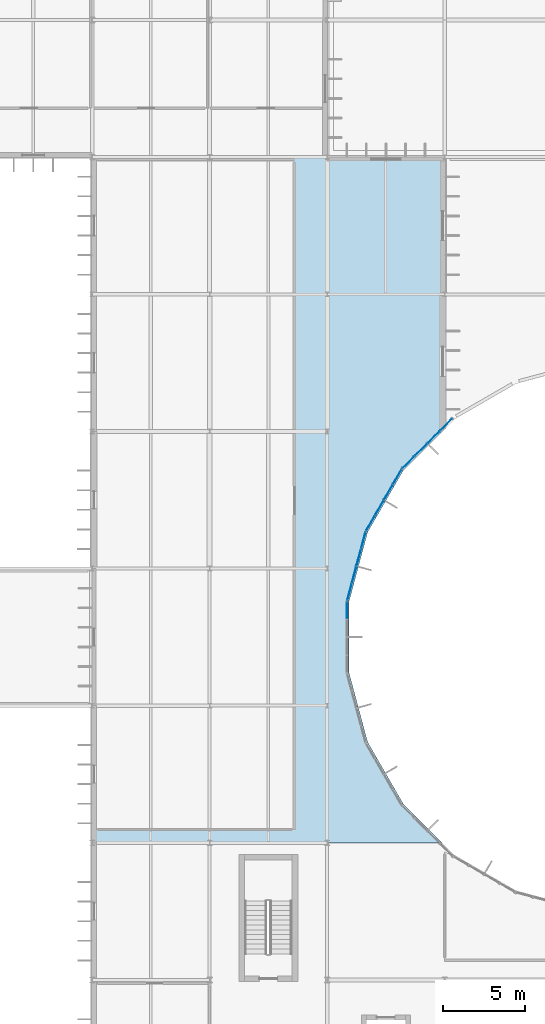
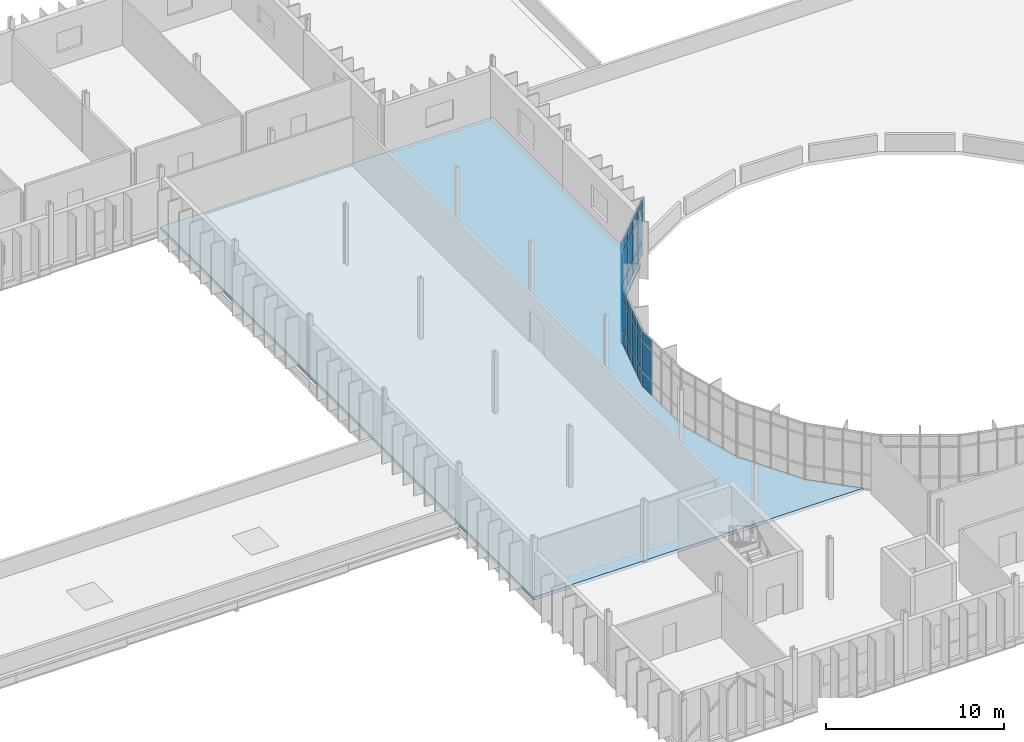
# One storey, part 36 of 61: 39 plates, 1 slab, 4 elements without a shape of their own.
"""IFC4 building model written with IfcOpenShell, lengths in metres."""

import ifcopenshell
import ifcopenshell.guid

model = None  # the IFC model being written
_history = None  # IfcOwnerHistory: only IFC2X3 demands one
_inside = {}  # id of a spatial element -> (the spatial element, [elements in it])
_under = {}  # id of a project, library or spatial element -> (it, [spatial elements below it])
_declared = {}  # id of a project -> (the project, [libraries it declares])
_typed = {}  # id of a type object -> (the type object, [elements of that type])
_made_of = {}  # id of a material, layer set ... -> (it, [elements and type objects made of it])


def new_model(schema):
    """Start an empty IFC model of exactly this schema.

    Asked for "IFC4X3", IfcOpenShell would pick the latest addendum, in which some entities
    have other attributes; the version numbers below select the first issue.
    IFC2X3 requires an IfcOwnerHistory on every rooted entity: one is made here for all.
    """
    global model, _history
    if schema == "IFC4X3":
        model = ifcopenshell.file(schema_version=(4, 3, 0, 0))
    else:
        model = ifcopenshell.file(schema=schema)
    _inside.clear()
    _under.clear()
    _declared.clear()
    _typed.clear()
    _made_of.clear()
    _history = None
    if model.schema == "IFC2X3":
        org = make("IfcOrganization", Name="unknown")
        user = make(
            "IfcPersonAndOrganization",
            ThePerson=make("IfcPerson", FamilyName="unknown"),
            TheOrganization=org,
        )
        app = make(
            "IfcApplication",
            ApplicationDeveloper=org,
            Version="unknown",
            ApplicationFullName="unknown",
            ApplicationIdentifier="unknown",
        )
        _history = make(
            "IfcOwnerHistory",
            OwningUser=user,
            OwningApplication=app,
            ChangeAction="ADDED",
            CreationDate=0,
        )
    return model


def make(cls, **values):
    """One entity of the class cls with the attributes given. An attribute that is None is left unset."""
    return model.create_entity(
        cls, **{name: value for name, value in values.items() if value is not None}
    )


def rooted(cls, **values):
    """An entity with a GlobalId (a new one), such as an element, a storey or a relation."""
    return make(cls, GlobalId=ifcopenshell.guid.new(), OwnerHistory=_history, **values)


def si_unit(unit_type, name, prefix=None):
    """IfcSIUnit, for example si_unit("LENGTHUNIT", "METRE", prefix="MILLI")."""
    return make("IfcSIUnit", UnitType=unit_type, Prefix=prefix, Name=name)


def assignment(units):
    """IfcUnitAssignment: the units of a project."""
    return None if units is None else make("IfcUnitAssignment", Units=units)


def point(xyz):
    """IfcCartesianPoint."""
    return None if xyz is None else make("IfcCartesianPoint", Coordinates=xyz)


def direction(xyz):
    """IfcDirection."""
    return None if xyz is None else make("IfcDirection", DirectionRatios=xyz)


def frame(location, z_axis=None, x_axis=None):
    """IfcAxis2Placement3D, a coordinate frame: its origin and axes. An axis left out is left unset."""
    return make(
        "IfcAxis2Placement3D",
        Location=point(location),
        Axis=direction(z_axis),
        RefDirection=direction(x_axis),
    )


def frame_2d(location, x_axis=None):
    """IfcAxis2Placement2D, a coordinate frame in the plane: its origin and x axis."""
    return make(
        "IfcAxis2Placement2D", Location=point(location), RefDirection=direction(x_axis)
    )


def origin():
    """The frame at (0, 0, 0) with its axes left unset."""
    return frame((0.0, 0.0, 0.0))


def origin_2d():
    """The frame at (0, 0) in the plane with its x axis left unset."""
    return frame_2d((0.0, 0.0))


def place(relative_to, where):
    """IfcLocalPlacement: puts the frame where relative to a parent placement (None: the world)."""
    return make(
        "IfcLocalPlacement", PlacementRelTo=relative_to, RelativePlacement=where
    )


def context(
    kind, dimensions, precision=None, world=None, true_north=None, identifier=None
):
    """IfcGeometricRepresentationContext, for example the 3D "Model" context."""
    return make(
        "IfcGeometricRepresentationContext",
        ContextIdentifier=identifier,
        ContextType=kind,
        CoordinateSpaceDimension=dimensions,
        Precision=precision,
        WorldCoordinateSystem=world,
        TrueNorth=true_north,
    )


def subcontext(parent, identifier, kind, view, scale=None):
    """IfcGeometricRepresentationSubContext, for example "Body" below "Model"."""
    return make(
        "IfcGeometricRepresentationSubContext",
        ContextIdentifier=identifier,
        ContextType=kind,
        ParentContext=parent,
        TargetScale=scale,
        TargetView=view,
    )


def project(units=None, contexts=None):
    """IfcProject with its units and contexts."""
    return rooted(
        "IfcProject",
        Name="project",
        RepresentationContexts=contexts,
        UnitsInContext=assignment(units),
    )


def spatial(cls, under=None, at=None, **own):
    """A site, building, storey or space (cls), placed at a placement, below another one or the project."""
    s = rooted(cls, ObjectPlacement=at, **own)
    if under is not None:
        _under.setdefault(under.id(), (under, []))[1].append(s)
    return s


def polyline(points):
    """IfcPolyline through the points."""
    return make("IfcPolyline", Points=[point(p) for p in points])


def profile(cls, at=None, kind="AREA", **sizes):
    """A parametric profile (cls). Its sizes go by their IFC names, for example OverallWidth=200.0."""
    return make(cls, ProfileType=kind, Position=at, **sizes)


def rectangle(**sizes):
    """IfcRectangleProfileDef."""
    return profile("IfcRectangleProfileDef", **sizes)


def outline(outer, holes=None, kind="AREA"):
    """IfcArbitraryClosedProfileDef: a profile drawn as a closed curve; with holes, ...WithVoids."""
    if holes is None:
        return make("IfcArbitraryClosedProfileDef", ProfileType=kind, OuterCurve=outer)
    return make(
        "IfcArbitraryProfileDefWithVoids",
        ProfileType=kind,
        OuterCurve=outer,
        InnerCurves=holes,
    )


def extrude(swept, where, along, depth):
    """IfcExtrudedAreaSolid: the profile swept, set in the frame where, extruded along a direction by depth."""
    return make(
        "IfcExtrudedAreaSolid",
        SweptArea=swept,
        Position=where,
        ExtrudedDirection=direction(along),
        Depth=depth,
    )


def shape(context_of_items, identifier, shape_type, items):
    """IfcShapeRepresentation: the items that make up one representation, for example the "Body"."""
    return make(
        "IfcShapeRepresentation",
        ContextOfItems=context_of_items,
        RepresentationIdentifier=identifier,
        RepresentationType=shape_type,
        Items=items,
    )


def material(Name=None, Category=None):
    """IfcMaterial."""
    return make("IfcMaterial", Name=Name, Category=Category)


def layer(
    of_material, thickness, ventilated=None, Name=None, Category=None, Priority=None
):
    """IfcMaterialLayer: one layer of a wall or slab, of a material (None: an air gap)."""
    return make(
        "IfcMaterialLayer",
        Material=of_material,
        LayerThickness=thickness,
        IsVentilated=ventilated,
        Name=Name,
        Category=Category,
        Priority=Priority,
    )


def layer_set(layers, Name=None):
    """IfcMaterialLayerSet."""
    return make("IfcMaterialLayerSet", MaterialLayers=layers, LayerSetName=Name)


def made_of(thing, what):
    """Note that an element or type object is made of a material, layer set ...; save() writes the relation."""
    if what is not None:
        _made_of.setdefault(what.id(), (what, []))[1].append(thing)
    return thing


def type_object(cls, material=None, **own):
    """A type object (cls), such as IfcWallType, which elements share."""
    return made_of(rooted(cls, **own), material)


def element(
    cls,
    number,
    at=None,
    inside=None,
    cuts=None,
    type_object=None,
    material=None,
    context=None,
    identifier="Body",
    shape_type=None,
    held_by="IfcProductDefinitionShape",
    body=None,
    shapes=None,
    **own,
):
    """One element of the class cls, such as IfcWall. Its Tag is "e" and its number.

    at: its placement. inside: the storey or other place that contains it. cuts: it is an
    opening in that element (IfcRelVoidsElement). A single representation is given by context,
    identifier, shape_type and body (its items); several are given by shapes. held_by: the class
    of the entity that holds the representations. save() writes the other relations.
    """
    e = rooted(cls, Tag="e%d" % number, ObjectPlacement=at, **own)
    if body is not None:
        shapes = [shape(context, identifier, shape_type, body)]
    if shapes is not None:
        e.Representation = make(held_by, Representations=shapes)
    if inside is not None:
        _inside.setdefault(inside.id(), (inside, []))[1].append(e)
    if cuts is not None:
        rooted(
            "IfcRelVoidsElement", RelatingBuildingElement=cuts, RelatedOpeningElement=e
        )
    if type_object is not None:
        _typed.setdefault(type_object.id(), (type_object, []))[1].append(e)
    return made_of(e, material)


def aggregate(whole, parts):
    """IfcRelAggregates: a whole, such as a stair, and the parts it consists of."""
    return rooted("IfcRelAggregates", RelatingObject=whole, RelatedObjects=parts)


def save(model, path):
    """Write the relations noted so far, then the file.

    IfcRelAggregates (storeys below a building ...), IfcRelContainedInSpatialStructure (elements
    in a storey), IfcRelDefinesByType, IfcRelAssociatesMaterial and IfcRelDeclares: one each for
    every whole, place, type object, material and project.
    """
    for whole, parts in _under.values():
        aggregate(whole, parts)
    for where, things in _inside.values():
        rooted(
            "IfcRelContainedInSpatialStructure",
            RelatedElements=things,
            RelatingStructure=where,
        )
    for kind, things in _typed.values():
        rooted("IfcRelDefinesByType", RelatedObjects=things, RelatingType=kind)
    for what, things in _made_of.values():
        rooted("IfcRelAssociatesMaterial", RelatedObjects=things, RelatingMaterial=what)
    for by, libraries in _declared.values():
        rooted("IfcRelDeclares", RelatingContext=by, RelatedDefinitions=libraries)
    model.write(path)


model = new_model("IFC4")

# Units and contexts
model_context = context("Model", 3, precision=1e-05, world=origin(), true_north=direction((0.0, 1.0)))
body_context = subcontext(model_context, "Body", "Model", "MODEL_VIEW")
ifc_project = project(units=[si_unit("LENGTHUNIT", "METRE"), si_unit("AREAUNIT", "SQUARE_METRE"), si_unit("VOLUMEUNIT", "CUBIC_METRE"), si_unit("PLANEANGLEUNIT", "RADIAN"), si_unit("MASSUNIT", "GRAM", prefix="KILO")], contexts=[model_context])

# Site, building, storey
site_placement = place(None, origin())
site = spatial("IfcSite", under=ifc_project, at=site_placement, CompositionType="ELEMENT")
building_placement = place(site_placement, origin())
building = spatial("IfcBuilding", under=site, at=building_placement, Name="Qelthora Terrace Specialist Clinic", CompositionType="ELEMENT")
storey_placement = place(building_placement, frame((0.0, 0.0, 13.199951171875)))
storey = spatial("IfcBuildingStorey", under=building, at=storey_placement, Name="L03", CompositionType="ELEMENT", Elevation=13.199951171875)

# Curtain wall, plates
ifc_material_1 = material(Name="Aluminium anodized bronze", Category="aluminium")
curtain_wall_type = type_object("IfcCurtainWallType", Name="CW-CRTE-UPP", PredefinedType="NOTDEFINED", material=ifc_material_1)
curtain_wall_1_placement = place(storey_placement, origin())
curtain_wall_1 = element("IfcCurtainWall", 1, at=curtain_wall_1_placement, inside=storey, type_object=curtain_wall_type, Name="Curtain wall CW-CE-L03-09", PredefinedType="NOTDEFINED")
ifc_material_2 = material(Name="Low-E triple-silver insulating glass", Category="glass")
ifc_layer_1 = layer(ifc_material_2, 0.035888671875)
ifc_layer_set_1 = layer_set([ifc_layer_1], Name="Low-E triple-silver insulating glass")
plate_type = type_object("IfcPlateType", Name="CWP-IGU-36", PredefinedType="CURTAIN_PANEL", material=ifc_layer_set_1)
plate_1_placement = place(storey_placement, frame((115.30029296875, 76.025634765625, 0.085205078125), z_axis=(0.0, 0.0, 1.0), x_axis=(-0.707106781187, -0.707106781187, 0.0)))
plate_1 = element("IfcPlate", 2, at=plate_1_placement, type_object=plate_type, Name="CW-CE-L03-09 glazed panel 1", PredefinedType="CURTAIN_PANEL", context=body_context, shape_type="SweptSolid", body=[
    extrude(rectangle(XDim=0.996337890625, YDim=0.035888671875, at=origin_2d()), origin(), (0.0, 0.0, 1.0), 0.919921875),
])
plate_2_placement = place(storey_placement, frame((115.30029296875, 76.025634765625, 1.09521484375), z_axis=(0.0, 0.0, 1.0), x_axis=(-0.707106781187, -0.707106781187, 0.0)))
plate_2 = element("IfcPlate", 3, at=plate_2_placement, type_object=plate_type, Name="CW-CE-L03-09 glazed panel 2", PredefinedType="CURTAIN_PANEL", context=body_context, shape_type="SweptSolid", body=[
    extrude(rectangle(XDim=0.996337890625, YDim=0.035888671875, at=origin_2d()), origin(), (0.0, 0.0, 1.0), 2.0048828125),
])
plate_3_placement = place(storey_placement, frame((115.30029296875, 76.025634765625, 3.190185546875), z_axis=(0.0, 0.0, 1.0), x_axis=(-0.707106781187, -0.707106781187, 0.0)))
plate_3 = element("IfcPlate", 4, at=plate_3_placement, type_object=plate_type, Name="CW-CE-L03-09 glazed panel 3", PredefinedType="CURTAIN_PANEL", context=body_context, shape_type="SweptSolid", body=[
    extrude(rectangle(XDim=0.996337890625, YDim=0.035888671875, at=origin_2d()), origin(), (0.0, 0.0, 1.0), 0.669921875),
])
plate_4_placement = place(storey_placement, frame((114.525146484375, 75.250244140625, 0.085205078125), z_axis=(0.0, 0.0, 1.0), x_axis=(-0.707106781187, -0.707106781187, 0.0)))
plate_4 = element("IfcPlate", 5, at=plate_4_placement, type_object=plate_type, Name="CW-CE-L03-09 glazed panel 4", PredefinedType="CURTAIN_PANEL", context=body_context, shape_type="SweptSolid", body=[
    extrude(rectangle(XDim=0.996337890625, YDim=0.035888671875, at=origin_2d()), origin(), (0.0, 0.0, 1.0), 0.919921875),
])
plate_5_placement = place(storey_placement, frame((114.525146484375, 75.250244140625, 1.09521484375), z_axis=(0.0, 0.0, 1.0), x_axis=(-0.707106781187, -0.707106781187, 0.0)))
plate_5 = element("IfcPlate", 6, at=plate_5_placement, type_object=plate_type, Name="CW-CE-L03-09 glazed panel 5", PredefinedType="CURTAIN_PANEL", context=body_context, shape_type="SweptSolid", body=[
    extrude(rectangle(XDim=0.996337890625, YDim=0.035888671875, at=origin_2d()), origin(), (0.0, 0.0, 1.0), 2.0048828125),
])
plate_6_placement = place(storey_placement, frame((114.525146484375, 75.250244140625, 3.190185546875), z_axis=(0.0, 0.0, 1.0), x_axis=(-0.707106781187, -0.707106781187, 0.0)))
plate_6 = element("IfcPlate", 7, at=plate_6_placement, type_object=plate_type, Name="CW-CE-L03-09 glazed panel 6", PredefinedType="CURTAIN_PANEL", context=body_context, shape_type="SweptSolid", body=[
    extrude(rectangle(XDim=0.996337890625, YDim=0.035888671875, at=origin_2d()), origin(), (0.0, 0.0, 1.0), 0.669921875),
])
plate_7_placement = place(storey_placement, frame((113.749755859375, 74.474853515625, 0.085205078125), z_axis=(0.0, 0.0, 1.0), x_axis=(-0.707106781187, -0.707106781187, 0.0)))
plate_7 = element("IfcPlate", 8, at=plate_7_placement, type_object=plate_type, Name="CW-CE-L03-09 glazed panel 7", PredefinedType="CURTAIN_PANEL", context=body_context, shape_type="SweptSolid", body=[
    extrude(rectangle(XDim=0.996337890625, YDim=0.035888671875, at=origin_2d()), origin(), (0.0, 0.0, 1.0), 0.919921875),
])
plate_8_placement = place(storey_placement, frame((113.749755859375, 74.474853515625, 1.09521484375), z_axis=(0.0, 0.0, 1.0), x_axis=(-0.707106781187, -0.707106781187, 0.0)))
plate_8 = element("IfcPlate", 9, at=plate_8_placement, type_object=plate_type, Name="CW-CE-L03-09 glazed panel 8", PredefinedType="CURTAIN_PANEL", context=body_context, shape_type="SweptSolid", body=[
    extrude(rectangle(XDim=0.996337890625, YDim=0.035888671875, at=origin_2d()), origin(), (0.0, 0.0, 1.0), 2.0048828125),
])
plate_9_placement = place(storey_placement, frame((113.749755859375, 74.474853515625, 3.190185546875), z_axis=(0.0, 0.0, 1.0), x_axis=(-0.707106781187, -0.707106781187, 0.0)))
plate_9 = element("IfcPlate", 10, at=plate_9_placement, type_object=plate_type, Name="CW-CE-L03-09 glazed panel 9", PredefinedType="CURTAIN_PANEL", context=body_context, shape_type="SweptSolid", body=[
    extrude(rectangle(XDim=0.996337890625, YDim=0.035888671875, at=origin_2d()), origin(), (0.0, 0.0, 1.0), 0.669921875),
])
plate_10_placement = place(storey_placement, frame((112.974365234375, 73.69970703125, 0.085205078125), z_axis=(0.0, 0.0, 1.0), x_axis=(-0.707106781187, -0.707106781187, 0.0)))
plate_10 = element("IfcPlate", 11, at=plate_10_placement, type_object=plate_type, Name="CW-CE-L03-09 glazed panel 10", PredefinedType="CURTAIN_PANEL", context=body_context, shape_type="SweptSolid", body=[
    extrude(rectangle(XDim=0.996337890625, YDim=0.035888671875, at=origin_2d()), origin(), (0.0, 0.0, 1.0), 0.919921875),
])
plate_11_placement = place(storey_placement, frame((112.974365234375, 73.69970703125, 1.09521484375), z_axis=(0.0, 0.0, 1.0), x_axis=(-0.707106781187, -0.707106781187, 0.0)))
plate_11 = element("IfcPlate", 12, at=plate_11_placement, type_object=plate_type, Name="CW-CE-L03-09 glazed panel 11", PredefinedType="CURTAIN_PANEL", context=body_context, shape_type="SweptSolid", body=[
    extrude(rectangle(XDim=0.996337890625, YDim=0.035888671875, at=origin_2d()), origin(), (0.0, 0.0, 1.0), 2.0048828125),
])
plate_12_placement = place(storey_placement, frame((112.974365234375, 73.69970703125, 3.190185546875), z_axis=(0.0, 0.0, 1.0), x_axis=(-0.707106781187, -0.707106781187, 0.0)))
plate_12 = element("IfcPlate", 13, at=plate_12_placement, type_object=plate_type, Name="CW-CE-L03-09 glazed panel 12", PredefinedType="CURTAIN_PANEL", context=body_context, shape_type="SweptSolid", body=[
    extrude(rectangle(XDim=0.996337890625, YDim=0.035888671875, at=origin_2d()), origin(), (0.0, 0.0, 1.0), 0.669921875),
])
aggregate(curtain_wall_1, [plate_1, plate_2, plate_3, plate_4, plate_5, plate_6, plate_7, plate_8, plate_9, plate_10, plate_11, plate_12])

curtain_wall_2_placement = place(storey_placement, origin())
curtain_wall_2 = element("IfcCurtainWall", 14, at=curtain_wall_2_placement, inside=storey, type_object=curtain_wall_type, Name="Curtain wall CW-CE-L03-10", PredefinedType="NOTDEFINED")
plate_13_placement = place(storey_placement, frame((112.293701171875, 72.8125, 0.085205078125), z_axis=(0.0, 0.0, 1.0), x_axis=(-0.5, -0.866025403784, 0.0)))
plate_13 = element("IfcPlate", 15, at=plate_13_placement, type_object=plate_type, Name="CW-CE-L03-10 glazed panel 1", PredefinedType="CURTAIN_PANEL", context=body_context, shape_type="SweptSolid", body=[
    extrude(rectangle(XDim=0.996337890625, YDim=0.035888671875, at=origin_2d()), origin(), (0.0, 0.0, 1.0), 0.919921875),
])
plate_14_placement = place(storey_placement, frame((112.293701171875, 72.8125, 1.09521484375), z_axis=(0.0, 0.0, 1.0), x_axis=(-0.5, -0.866025403784, 0.0)))
plate_14 = element("IfcPlate", 16, at=plate_14_placement, type_object=plate_type, Name="CW-CE-L03-10 glazed panel 2", PredefinedType="CURTAIN_PANEL", context=body_context, shape_type="SweptSolid", body=[
    extrude(rectangle(XDim=0.996337890625, YDim=0.035888671875, at=origin_2d()), origin(), (0.0, 0.0, 1.0), 2.0048828125),
])
plate_15_placement = place(storey_placement, frame((112.293701171875, 72.8125, 3.190185546875), z_axis=(0.0, 0.0, 1.0), x_axis=(-0.5, -0.866025403784, 0.0)))
plate_15 = element("IfcPlate", 17, at=plate_15_placement, type_object=plate_type, Name="CW-CE-L03-10 glazed panel 3", PredefinedType="CURTAIN_PANEL", context=body_context, shape_type="SweptSolid", body=[
    extrude(rectangle(XDim=0.996337890625, YDim=0.035888671875, at=origin_2d()), origin(), (0.0, 0.0, 1.0), 0.669921875),
])
plate_16_placement = place(storey_placement, frame((111.745361328125, 71.86279296875, 0.085205078125), z_axis=(0.0, 0.0, 1.0), x_axis=(-0.5, -0.866025403784, 0.0)))
plate_16 = element("IfcPlate", 18, at=plate_16_placement, type_object=plate_type, Name="CW-CE-L03-10 glazed panel 4", PredefinedType="CURTAIN_PANEL", context=body_context, shape_type="SweptSolid", body=[
    extrude(rectangle(XDim=0.996337890625, YDim=0.035888671875, at=origin_2d()), origin(), (0.0, 0.0, 1.0), 0.919921875),
])
plate_17_placement = place(storey_placement, frame((111.745361328125, 71.86279296875, 1.09521484375), z_axis=(0.0, 0.0, 1.0), x_axis=(-0.5, -0.866025403784, 0.0)))
plate_17 = element("IfcPlate", 19, at=plate_17_placement, type_object=plate_type, Name="CW-CE-L03-10 glazed panel 5", PredefinedType="CURTAIN_PANEL", context=body_context, shape_type="SweptSolid", body=[
    extrude(rectangle(XDim=0.996337890625, YDim=0.035888671875, at=origin_2d()), origin(), (0.0, 0.0, 1.0), 2.0048828125),
])
plate_18_placement = place(storey_placement, frame((111.745361328125, 71.86279296875, 3.190185546875), z_axis=(0.0, 0.0, 1.0), x_axis=(-0.5, -0.866025403784, 0.0)))
plate_18 = element("IfcPlate", 20, at=plate_18_placement, type_object=plate_type, Name="CW-CE-L03-10 glazed panel 6", PredefinedType="CURTAIN_PANEL", context=body_context, shape_type="SweptSolid", body=[
    extrude(rectangle(XDim=0.996337890625, YDim=0.035888671875, at=origin_2d()), origin(), (0.0, 0.0, 1.0), 0.669921875),
])
plate_19_placement = place(storey_placement, frame((111.197265625, 70.913330078125, 0.085205078125), z_axis=(0.0, 0.0, 1.0), x_axis=(-0.5, -0.866025403784, 0.0)))
plate_19 = element("IfcPlate", 21, at=plate_19_placement, type_object=plate_type, Name="CW-CE-L03-10 glazed panel 7", PredefinedType="CURTAIN_PANEL", context=body_context, shape_type="SweptSolid", body=[
    extrude(rectangle(XDim=0.996337890625, YDim=0.035888671875, at=origin_2d()), origin(), (0.0, 0.0, 1.0), 0.919921875),
])
plate_20_placement = place(storey_placement, frame((111.197265625, 70.913330078125, 1.09521484375), z_axis=(0.0, 0.0, 1.0), x_axis=(-0.5, -0.866025403784, 0.0)))
plate_20 = element("IfcPlate", 22, at=plate_20_placement, type_object=plate_type, Name="CW-CE-L03-10 glazed panel 8", PredefinedType="CURTAIN_PANEL", context=body_context, shape_type="SweptSolid", body=[
    extrude(rectangle(XDim=0.996337890625, YDim=0.035888671875, at=origin_2d()), origin(), (0.0, 0.0, 1.0), 2.0048828125),
])
plate_21_placement = place(storey_placement, frame((111.197265625, 70.913330078125, 3.190185546875), z_axis=(0.0, 0.0, 1.0), x_axis=(-0.5, -0.866025403784, 0.0)))
plate_21 = element("IfcPlate", 23, at=plate_21_placement, type_object=plate_type, Name="CW-CE-L03-10 glazed panel 9", PredefinedType="CURTAIN_PANEL", context=body_context, shape_type="SweptSolid", body=[
    extrude(rectangle(XDim=0.996337890625, YDim=0.035888671875, at=origin_2d()), origin(), (0.0, 0.0, 1.0), 0.669921875),
])
plate_22_placement = place(storey_placement, frame((110.64892578125, 69.9638671875, 0.085205078125), z_axis=(0.0, 0.0, 1.0), x_axis=(-0.5, -0.866025403784, 0.0)))
plate_22 = element("IfcPlate", 24, at=plate_22_placement, type_object=plate_type, Name="CW-CE-L03-10 glazed panel 10", PredefinedType="CURTAIN_PANEL", context=body_context, shape_type="SweptSolid", body=[
    extrude(rectangle(XDim=0.996337890625, YDim=0.035888671875, at=origin_2d()), origin(), (0.0, 0.0, 1.0), 0.919921875),
])
plate_23_placement = place(storey_placement, frame((110.64892578125, 69.9638671875, 1.09521484375), z_axis=(0.0, 0.0, 1.0), x_axis=(-0.5, -0.866025403784, 0.0)))
plate_23 = element("IfcPlate", 25, at=plate_23_placement, type_object=plate_type, Name="CW-CE-L03-10 glazed panel 11", PredefinedType="CURTAIN_PANEL", context=body_context, shape_type="SweptSolid", body=[
    extrude(rectangle(XDim=0.996337890625, YDim=0.035888671875, at=origin_2d()), origin(), (0.0, 0.0, 1.0), 2.0048828125),
])
plate_24_placement = place(storey_placement, frame((110.64892578125, 69.9638671875, 3.190185546875), z_axis=(0.0, 0.0, 1.0), x_axis=(-0.5, -0.866025403784, 0.0)))
plate_24 = element("IfcPlate", 26, at=plate_24_placement, type_object=plate_type, Name="CW-CE-L03-10 glazed panel 12", PredefinedType="CURTAIN_PANEL", context=body_context, shape_type="SweptSolid", body=[
    extrude(rectangle(XDim=0.996337890625, YDim=0.035888671875, at=origin_2d()), origin(), (0.0, 0.0, 1.0), 0.669921875),
])
aggregate(curtain_wall_2, [plate_13, plate_14, plate_15, plate_16, plate_17, plate_18, plate_19, plate_20, plate_21, plate_22, plate_23, plate_24])

curtain_wall_3_placement = place(storey_placement, origin())
curtain_wall_3 = element("IfcCurtainWall", 27, at=curtain_wall_3_placement, inside=storey, type_object=curtain_wall_type, Name="Curtain wall CW-CE-L03-11", PredefinedType="NOTDEFINED")
plate_25_placement = place(storey_placement, frame((110.220947265625, 68.9306640625, 0.085205078125), z_axis=(0.0, 0.0, 1.0), x_axis=(-0.258819045103, -0.965925826289, 0.0)))
plate_25 = element("IfcPlate", 28, at=plate_25_placement, type_object=plate_type, Name="CW-CE-L03-11 glazed panel 1", PredefinedType="CURTAIN_PANEL", context=body_context, shape_type="SweptSolid", body=[
    extrude(rectangle(XDim=0.996337890625, YDim=0.035888671875, at=origin_2d()), origin(), (0.0, 0.0, 1.0), 0.919921875),
])
plate_26_placement = place(storey_placement, frame((110.220947265625, 68.9306640625, 1.09521484375), z_axis=(0.0, 0.0, 1.0), x_axis=(-0.258819045103, -0.965925826289, 0.0)))
plate_26 = element("IfcPlate", 29, at=plate_26_placement, type_object=plate_type, Name="CW-CE-L03-11 glazed panel 2", PredefinedType="CURTAIN_PANEL", context=body_context, shape_type="SweptSolid", body=[
    extrude(rectangle(XDim=0.996337890625, YDim=0.035888671875, at=origin_2d()), origin(), (0.0, 0.0, 1.0), 2.0048828125),
])
plate_27_placement = place(storey_placement, frame((110.220947265625, 68.9306640625, 3.190185546875), z_axis=(0.0, 0.0, 1.0), x_axis=(-0.258819045103, -0.965925826289, 0.0)))
plate_27 = element("IfcPlate", 30, at=plate_27_placement, type_object=plate_type, Name="CW-CE-L03-11 glazed panel 3", PredefinedType="CURTAIN_PANEL", context=body_context, shape_type="SweptSolid", body=[
    extrude(rectangle(XDim=0.996337890625, YDim=0.035888671875, at=origin_2d()), origin(), (0.0, 0.0, 1.0), 0.669921875),
])
plate_28_placement = place(storey_placement, frame((109.937255859375, 67.87158203125, 0.085205078125), z_axis=(0.0, 0.0, 1.0), x_axis=(-0.258819045103, -0.965925826289, 0.0)))
plate_28 = element("IfcPlate", 31, at=plate_28_placement, type_object=plate_type, Name="CW-CE-L03-11 glazed panel 4", PredefinedType="CURTAIN_PANEL", context=body_context, shape_type="SweptSolid", body=[
    extrude(rectangle(XDim=0.996337890625, YDim=0.035888671875, at=origin_2d()), origin(), (0.0, 0.0, 1.0), 0.919921875),
])
plate_29_placement = place(storey_placement, frame((109.937255859375, 67.87158203125, 1.09521484375), z_axis=(0.0, 0.0, 1.0), x_axis=(-0.258819045103, -0.965925826289, 0.0)))
plate_29 = element("IfcPlate", 32, at=plate_29_placement, type_object=plate_type, Name="CW-CE-L03-11 glazed panel 5", PredefinedType="CURTAIN_PANEL", context=body_context, shape_type="SweptSolid", body=[
    extrude(rectangle(XDim=0.996337890625, YDim=0.035888671875, at=origin_2d()), origin(), (0.0, 0.0, 1.0), 2.0048828125),
])
plate_30_placement = place(storey_placement, frame((109.937255859375, 67.87158203125, 3.190185546875), z_axis=(0.0, 0.0, 1.0), x_axis=(-0.258819045103, -0.965925826289, 0.0)))
plate_30 = element("IfcPlate", 33, at=plate_30_placement, type_object=plate_type, Name="CW-CE-L03-11 glazed panel 6", PredefinedType="CURTAIN_PANEL", context=body_context, shape_type="SweptSolid", body=[
    extrude(rectangle(XDim=0.996337890625, YDim=0.035888671875, at=origin_2d()), origin(), (0.0, 0.0, 1.0), 0.669921875),
])
plate_31_placement = place(storey_placement, frame((109.653564453125, 66.8125, 0.085205078125), z_axis=(0.0, 0.0, 1.0), x_axis=(-0.258819045103, -0.965925826289, 0.0)))
plate_31 = element("IfcPlate", 34, at=plate_31_placement, type_object=plate_type, Name="CW-CE-L03-11 glazed panel 7", PredefinedType="CURTAIN_PANEL", context=body_context, shape_type="SweptSolid", body=[
    extrude(rectangle(XDim=0.996337890625, YDim=0.035888671875, at=origin_2d()), origin(), (0.0, 0.0, 1.0), 0.919921875),
])
plate_32_placement = place(storey_placement, frame((109.653564453125, 66.8125, 1.09521484375), z_axis=(0.0, 0.0, 1.0), x_axis=(-0.258819045103, -0.965925826289, 0.0)))
plate_32 = element("IfcPlate", 35, at=plate_32_placement, type_object=plate_type, Name="CW-CE-L03-11 glazed panel 8", PredefinedType="CURTAIN_PANEL", context=body_context, shape_type="SweptSolid", body=[
    extrude(rectangle(XDim=0.996337890625, YDim=0.035888671875, at=origin_2d()), origin(), (0.0, 0.0, 1.0), 2.0048828125),
])
plate_33_placement = place(storey_placement, frame((109.653564453125, 66.8125, 3.190185546875), z_axis=(0.0, 0.0, 1.0), x_axis=(-0.258819045103, -0.965925826289, 0.0)))
plate_33 = element("IfcPlate", 36, at=plate_33_placement, type_object=plate_type, Name="CW-CE-L03-11 glazed panel 9", PredefinedType="CURTAIN_PANEL", context=body_context, shape_type="SweptSolid", body=[
    extrude(rectangle(XDim=0.996337890625, YDim=0.035888671875, at=origin_2d()), origin(), (0.0, 0.0, 1.0), 0.669921875),
])
plate_34_placement = place(storey_placement, frame((109.36962890625, 65.75341796875, 0.085205078125), z_axis=(0.0, 0.0, 1.0), x_axis=(-0.258819045103, -0.965925826289, 0.0)))
plate_34 = element("IfcPlate", 37, at=plate_34_placement, type_object=plate_type, Name="CW-CE-L03-11 glazed panel 10", PredefinedType="CURTAIN_PANEL", context=body_context, shape_type="SweptSolid", body=[
    extrude(rectangle(XDim=0.996337890625, YDim=0.035888671875, at=origin_2d()), origin(), (0.0, 0.0, 1.0), 0.919921875),
])
plate_35_placement = place(storey_placement, frame((109.36962890625, 65.75341796875, 1.09521484375), z_axis=(0.0, 0.0, 1.0), x_axis=(-0.258819045103, -0.965925826289, 0.0)))
plate_35 = element("IfcPlate", 38, at=plate_35_placement, type_object=plate_type, Name="CW-CE-L03-11 glazed panel 11", PredefinedType="CURTAIN_PANEL", context=body_context, shape_type="SweptSolid", body=[
    extrude(rectangle(XDim=0.996337890625, YDim=0.035888671875, at=origin_2d()), origin(), (0.0, 0.0, 1.0), 2.0048828125),
])
plate_36_placement = place(storey_placement, frame((109.36962890625, 65.75341796875, 3.190185546875), z_axis=(0.0, 0.0, 1.0), x_axis=(-0.258819045103, -0.965925826289, 0.0)))
plate_36 = element("IfcPlate", 39, at=plate_36_placement, type_object=plate_type, Name="CW-CE-L03-11 glazed panel 12", PredefinedType="CURTAIN_PANEL", context=body_context, shape_type="SweptSolid", body=[
    extrude(rectangle(XDim=0.996337890625, YDim=0.035888671875, at=origin_2d()), origin(), (0.0, 0.0, 1.0), 0.669921875),
])
aggregate(curtain_wall_3, [plate_25, plate_26, plate_27, plate_28, plate_29, plate_30, plate_31, plate_32, plate_33, plate_34, plate_35, plate_36])

curtain_wall_4_placement = place(storey_placement, origin())
curtain_wall_4 = element("IfcCurtainWall", 40, at=curtain_wall_4_placement, inside=storey, type_object=curtain_wall_type, Name="Curtain wall CW-CE-L03-12", PredefinedType="NOTDEFINED")
plate_37_placement = place(storey_placement, frame((109.2236328125, 64.64453125, 0.085205078125), z_axis=(0.0, 0.0, 1.0), x_axis=(0.0, -1.0, 0.0)))
plate_37 = element("IfcPlate", 41, at=plate_37_placement, type_object=plate_type, Name="CW-CE-L03-12 glazed panel 1", PredefinedType="CURTAIN_PANEL", context=body_context, shape_type="SweptSolid", body=[
    extrude(rectangle(XDim=0.996337890625, YDim=0.035888671875, at=origin_2d()), origin(), (0.0, 0.0, 1.0), 0.919921875),
])
plate_38_placement = place(storey_placement, frame((109.2236328125, 64.64453125, 1.09521484375), z_axis=(0.0, 0.0, 1.0), x_axis=(0.0, -1.0, 0.0)))
plate_38 = element("IfcPlate", 42, at=plate_38_placement, type_object=plate_type, Name="CW-CE-L03-12 glazed panel 2", PredefinedType="CURTAIN_PANEL", context=body_context, shape_type="SweptSolid", body=[
    extrude(rectangle(XDim=0.996337890625, YDim=0.035888671875, at=origin_2d()), origin(), (0.0, 0.0, 1.0), 2.0048828125),
])
plate_39_placement = place(storey_placement, frame((109.2236328125, 64.64453125, 3.190185546875), z_axis=(0.0, 0.0, 1.0), x_axis=(0.0, -1.0, 0.0)))
plate_39 = element("IfcPlate", 43, at=plate_39_placement, type_object=plate_type, Name="CW-CE-L03-12 glazed panel 3", PredefinedType="CURTAIN_PANEL", context=body_context, shape_type="SweptSolid", body=[
    extrude(rectangle(XDim=0.996337890625, YDim=0.035888671875, at=origin_2d()), origin(), (0.0, 0.0, 1.0), 0.669921875),
])
aggregate(curtain_wall_4, [plate_37, plate_38, plate_39])

# Slab
ifc_material_3 = material(Name="Concrete C30/37", Category="concrete")
ifc_layer_2 = layer(ifc_material_3, 0.2099609375)
ifc_layer_set_2 = layer_set([ifc_layer_2], Name="Concrete C30/37")
slab_type = type_object("IfcSlabType", Name="SLB-FLR-210-C30", PredefinedType="FLOOR", material=ifc_layer_set_2)
slab_placement = place(storey_placement, frame((0.0, 0.0, -0.2099609375)))
element("IfcSlab", 44, at=slab_placement, inside=storey, type_object=slab_type, Name="L03 V4 slab SLB-L03-V4-3A", PredefinedType="FLOOR", context=body_context, shape_type="SweptSolid", body=[
    extrude(outline(polyline([(93.60009765625, 92.39990234375), (115.199951171875, 92.39990234375), (115.199951171875, 75.755615234375), (112.671630859375, 73.227294921875), (110.478759765625, 69.42919921875), (109.34375, 65.19287109375), (109.34375, 60.80712890625), (110.478759765625, 56.57080078125), (112.671630859375, 52.772705078125), (115.04443359375, 50.39990234375), (93.60009765625, 50.39990234375), (93.60009765625, 92.39990234375)])), origin(), (0.0, 0.0, 1.0), 0.2099609375),
])

save(model, "model.ifc")
